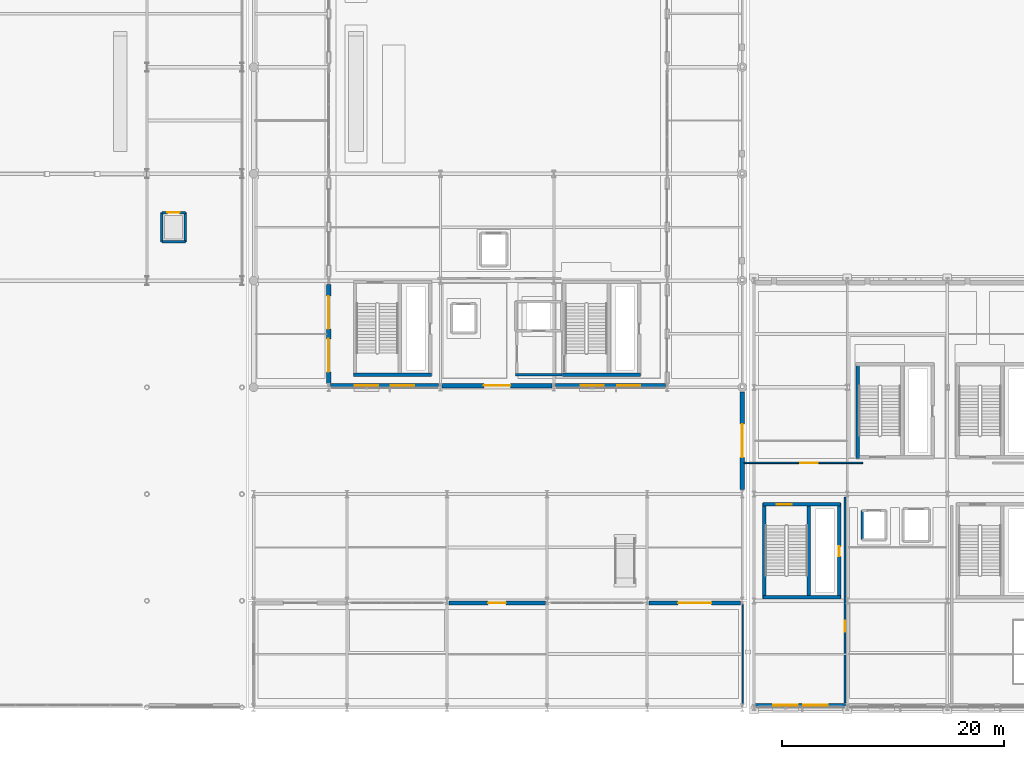
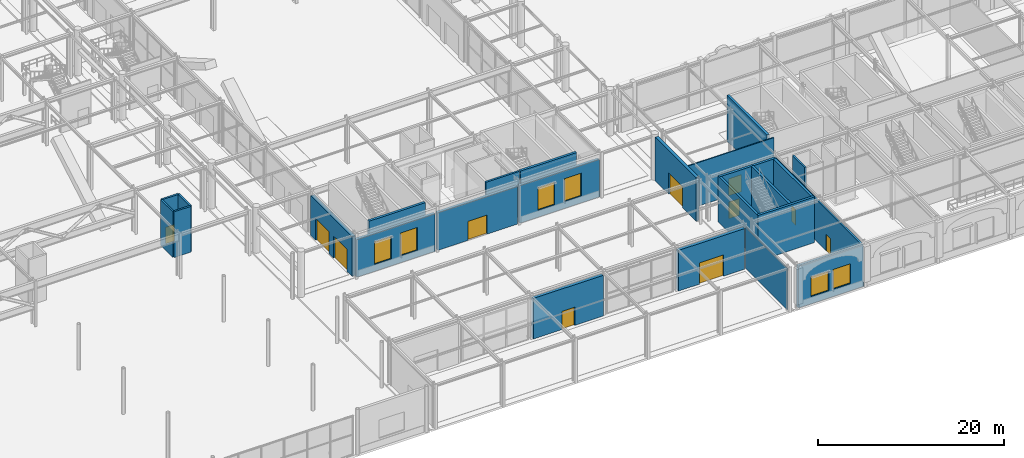
# One storey, part 59 of 113: 25 walls, 11 doors, 6 windows, 17 openings.
"""IFC4 building model written with IfcOpenShell, lengths in metres."""

from ifc_helpers import new_model, si_unit, direction, frame, frame_2d, origin, place, context, subcontext, project, spatial, rectangle, extrude, material, layer, layer_set, type_object, element, fill, save


model = new_model("IFC4")

# Units and contexts
model_context = context("Model", 3, precision=1e-05, world=origin(), true_north=direction((0.0, 1.0)))
body_context = subcontext(model_context, "Body", "Model", "MODEL_VIEW")
ifc_project = project(units=[si_unit("LENGTHUNIT", "METRE"), si_unit("AREAUNIT", "SQUARE_METRE"), si_unit("VOLUMEUNIT", "CUBIC_METRE"), si_unit("PLANEANGLEUNIT", "RADIAN"), si_unit("MASSUNIT", "GRAM", prefix="KILO")], contexts=[model_context])

# Site, building, storey
site_placement = place(None, origin())
site = spatial("IfcSite", under=ifc_project, at=site_placement, CompositionType="ELEMENT")
building_placement = place(site_placement, origin())
building = spatial("IfcBuilding", under=site, at=building_placement, Name="Myrtia Square Station", CompositionType="ELEMENT")
storey_placement = place(building_placement, origin())
storey = spatial("IfcBuildingStorey", under=building, at=storey_placement, Name="L00", CompositionType="ELEMENT", Elevation=0.0)

# Walls
ifc_material_1 = material(Name="Concrete C35/45", Category="concrete")
ifc_layer_1 = layer(ifc_material_1, 0.300048828125, Name="Concrete C35/45")
ifc_layer_set_1 = layer_set([ifc_layer_1], Name="Concrete C35/45")
wall_type_1 = type_object("IfcWallType", Name="WL-CORE-300", PredefinedType="SHEAR", material=ifc_layer_set_1)
for number, where, z_axis, x_axis, name in (
    (1, (81.60009765625, 29.925048828125, 0.0), (0.0, 0.0, 1.0), (1.0, 0.0, 0.0), "Core K1 shear wall L00 S"),
    (2, (100.39990234375, 29.925048828125, 0.0), (0.0, 0.0, 1.0), (1.0, 0.0, 0.0), "Core K3 shear wall L00 S"),
    (3, (118.39990234375, 9.925048828125, 0.0), (0.0, 0.0, 1.0), (1.0, 0.0, 0.0), "Core K5 shear wall L00 S"),
):
    element("IfcWall", number, at=place(storey_placement, frame(where, z_axis=z_axis, x_axis=x_axis)), inside=storey, type_object=wall_type_1, Name=name, PredefinedType="SHEAR", context=body_context, shape_type="SweptSolid", body=[
        extrude(rectangle(XDim=7.0, YDim=0.300048828125, at=frame_2d((3.5, 0.0))), origin(), (0.0, 0.0, 1.0), 6.0),
    ])

# Wall, opening, door
wall_1_placement = place(storey_placement, frame((118.39990234375, 18.27490234375, 0.0), z_axis=(0.0, 0.0, 1.0), x_axis=(1.0, 0.0, 0.0)))
wall_1 = element("IfcWall", 4, at=wall_1_placement, inside=storey, type_object=wall_type_1, Name="Core K5 shear wall L00 N", PredefinedType="SHEAR", context=body_context, shape_type="SweptSolid", body=[
    extrude(rectangle(XDim=7.0, YDim=0.300048828125, at=frame_2d((3.5, 0.0))), origin(), (0.0, 0.0, 1.0), 6.0),
])
opening_1_placement = place(wall_1_placement, frame((1.25, 0.0, 0.0)))
opening_1 = element("IfcOpeningElement", 5, at=opening_1_placement, cuts=wall_1, Name="Opening SD-053", PredefinedType="OPENING", context=body_context, shape_type="SweptSolid", body=[
    extrude(rectangle(XDim=1.35009765625, YDim=2.199951171875, at=frame_2d((0.675048828125, 1.10009765625))), frame((0.0, 0.1650390625, 0.0), z_axis=(0.0, -1.0, 0.0), x_axis=(1.0, 0.0, 0.0)), (0.0, 0.0, 1.0), 0.330078125),
])
ifc_material_2 = material(Name="Dark bronze anodised aluminium", Category="aluminium")
door_type_1 = type_object("IfcDoorType", Name="DR-STAIR-1350x2200", OperationType="NOTDEFINED", PredefinedType="DOOR", material=ifc_material_2)
door_1_placement = place(opening_1_placement, origin())
door_1 = element("IfcDoor", 6, at=door_1_placement, inside=storey, type_object=door_type_1, Name="Protected stair fire door K5 L00", OperationType="SINGLE_SWING_LEFT", OverallHeight=2.199951171875, OverallWidth=1.35009765625, PredefinedType="DOOR", context=body_context, shape_type="SweptSolid", body=[
    extrude(rectangle(XDim=1.35009765625, YDim=2.199951171875, at=frame_2d((0.675048828125, 1.10009765625))), frame((0.0, 0.02490234375, 0.0), z_axis=(0.0, -1.0, 0.0), x_axis=(1.0, 0.0, 0.0)), (0.0, 0.0, 1.0), 0.050048828125),
])
fill(opening_1, door_1)

# Wall
wall_2_placement = place(storey_placement, frame((118.52490234375, 9.800048828125, 0.0), z_axis=(0.0, 0.0, 1.0), x_axis=(0.0, 1.0, 0.0)))
element("IfcWall", 7, at=wall_2_placement, inside=storey, type_object=wall_type_1, Name="Core K5 shear wall L00 W", PredefinedType="SHEAR", context=body_context, shape_type="SweptSolid", body=[
    extrude(rectangle(XDim=8.599853515625, YDim=0.300048828125, at=frame_2d((4.2998046875, 0.0))), origin(), (0.0, 0.0, 1.0), 6.0),
])

# Wall, opening, door
wall_3_placement = place(storey_placement, frame((125.27490234375, 9.800048828125, 0.0), z_axis=(0.0, 0.0, 1.0), x_axis=(0.0, 1.0, 0.0)))
wall_3 = element("IfcWall", 8, at=wall_3_placement, inside=storey, type_object=wall_type_1, Name="Core K5 shear wall L00 E", PredefinedType="SHEAR", context=body_context, shape_type="SweptSolid", body=[
    extrude(rectangle(XDim=8.599853515625, YDim=0.300048828125, at=frame_2d((4.2998046875, 0.0))), origin(), (0.0, 0.0, 1.0), 6.0),
])
opening_2_placement = place(wall_3_placement, frame((3.800048828125, 0.0, 0.0)))
opening_2 = element("IfcOpeningElement", 9, at=opening_2_placement, cuts=wall_3, Name="Opening RD-054", PredefinedType="OPENING", context=body_context, shape_type="SweptSolid", body=[
    extrude(rectangle(XDim=0.89990234375, YDim=2.050048828125, at=frame_2d((0.449951171875, 1.02490234375))), frame((0.0, 0.1650390625, 0.0), z_axis=(0.0, -1.0, 0.0), x_axis=(1.0, 0.0, 0.0)), (0.0, 0.0, 1.0), 0.330078125),
])
door_type_2 = type_object("IfcDoorType", Name="DR-RISER-900x2050", OperationType="NOTDEFINED", PredefinedType="DOOR", material=ifc_material_2)
door_2_placement = place(opening_2_placement, origin())
door_2 = element("IfcDoor", 10, at=door_2_placement, inside=storey, type_object=door_type_2, Name="Riser cupboard access door K5 L00", OperationType="SINGLE_SWING_RIGHT", OverallHeight=2.050048828125, OverallWidth=0.89990234375, PredefinedType="DOOR", context=body_context, shape_type="SweptSolid", body=[
    extrude(rectangle(XDim=0.89990234375, YDim=2.050048828125, at=frame_2d((0.449951171875, 1.02490234375))), frame((0.0, 0.02490234375, 0.0), z_axis=(0.0, -1.0, 0.0), x_axis=(1.0, 0.0, 0.0)), (0.0, 0.0, 1.0), 0.050048828125),
])
fill(opening_2, door_2)

# Walls
wall_4_placement = place(storey_placement, frame((122.5400390625, 10.0, 0.0), z_axis=(0.0, 0.0, 1.0), x_axis=(0.0, 1.0, 0.0)))
element("IfcWall", 11, at=wall_4_placement, inside=storey, type_object=wall_type_1, Name="Core K5 shear wall L00 D", PredefinedType="SHEAR", context=body_context, shape_type="SweptSolid", body=[
    extrude(rectangle(XDim=8.199951171875, YDim=0.300048828125, at=frame_2d((4.10009765625, 0.0))), origin(), (0.0, 0.0, 1.0), 6.0),
])
wall_5_placement = place(storey_placement, frame((126.925048828125, 22.39990234375, 0.0), z_axis=(0.0, 0.0, 1.0), x_axis=(0.0, 1.0, 0.0)))
element("IfcWall", 12, at=wall_5_placement, inside=storey, type_object=wall_type_1, Name="Core K10 shear wall L00 W", PredefinedType="SHEAR", context=body_context, shape_type="SweptSolid", body=[
    extrude(rectangle(XDim=8.60009765625, YDim=0.300048828125, at=frame_2d((4.300048828125, 0.0))), origin(), (0.0, 0.0, 1.0), 6.0),
])

# Wall, opening, door
ifc_material_3 = material(Name="Pentelic marble ashlar", Category="masonry")
ifc_layer_2 = layer(ifc_material_3, 0.3798828125, Name="Pentelic marble ashlar")
ifc_layer_set_2 = layer_set([ifc_layer_2], Name="Pentelic marble ashlar")
wall_type_2 = type_object("IfcWallType", Name="WL-EXT-ASHLAR-380", PredefinedType="SOLIDWALL", material=ifc_layer_set_2)
wall_6_placement = place(storey_placement, frame((89.554931640625, 28.949951171875, 0.0), z_axis=(0.0, 0.0, 1.0), x_axis=(1.0, 0.0, 0.0)))
wall_6 = element("IfcWall", 13, at=wall_6_placement, inside=storey, type_object=wall_type_2, Name="Exterior envelope wall EW-L00-0013", PredefinedType="SOLIDWALL", context=body_context, shape_type="SweptSolid", body=[
    extrude(rectangle(XDim=9.89013671875, YDim=0.3798828125, at=frame_2d((4.945068359375, 0.0))), origin(), (0.0, 0.0, 1.0), 4.919921875),
])
opening_3_placement = place(wall_6_placement, frame((3.7451171875, 0.0, 0.0)))
opening_3 = element("IfcOpeningElement", 14, at=opening_3_placement, cuts=wall_6, Name="Opening ED-021", PredefinedType="OPENING", context=body_context, shape_type="SweptSolid", body=[
    extrude(rectangle(XDim=2.39990234375, YDim=2.5, at=frame_2d((1.199951171875, 1.25))), frame((0.0, 0.204833984375, 0.0), z_axis=(0.0, -1.0, 0.0), x_axis=(1.0, 0.0, 0.0)), (0.0, 0.0, 1.0), 0.409912109375),
])
door_type_3 = type_object("IfcDoorType", Name="DR-EXIT-2400x2500", OperationType="NOTDEFINED", PredefinedType="DOOR", material=ifc_material_2)
door_3_placement = place(opening_3_placement, frame((2.39990234375, 0.0, 0.0), z_axis=(0.0, 0.0, 1.0), x_axis=(-1.0, 0.0, 0.0)))
door_3 = element("IfcDoor", 15, at=door_3_placement, inside=storey, type_object=door_type_3, Name="Pedestrian exit door ED-021", OperationType="DOUBLE_DOOR_SINGLE_SWING", OverallHeight=2.5, OverallWidth=2.39990234375, PredefinedType="DOOR", context=body_context, shape_type="SweptSolid", body=[
    extrude(rectangle(XDim=2.39990234375, YDim=2.5, at=frame_2d((1.199951171875, 1.25))), frame((0.0, 0.02490234375, 0.0), z_axis=(0.0, -1.0, 0.0), x_axis=(1.0, 0.0, 0.0)), (0.0, 0.0, 1.0), 0.050048828125),
])
fill(opening_3, door_3)

wall_7_placement = place(storey_placement, frame((108.155029296875, 9.39990234375, 0.0), z_axis=(0.0, 0.0, 1.0), x_axis=(1.0, 0.0, 0.0)))
wall_7 = element("IfcWall", 16, at=wall_7_placement, inside=storey, type_object=wall_type_2, Name="Exterior envelope wall EW-L00-0071", PredefinedType="SOLIDWALL", context=body_context, shape_type="SweptSolid", body=[
    extrude(rectangle(XDim=8.239990234375, YDim=0.3798828125, at=frame_2d((4.1201171875, 0.0))), origin(), (0.0, 0.0, 1.0), 5.340087890625),
])
opening_4_placement = place(wall_7_placement, frame((2.6201171875, 0.0, 0.0)))
opening_4 = element("IfcOpeningElement", 17, at=opening_4_placement, cuts=wall_7, Name="Opening ED-029", PredefinedType="OPENING", context=body_context, shape_type="SweptSolid", body=[
    extrude(rectangle(XDim=3.0, YDim=2.800048828125, at=frame_2d((1.5, 1.39990234375))), frame((0.0, 0.204833984375, 0.0), z_axis=(0.0, -1.0, 0.0), x_axis=(1.0, 0.0, 0.0)), (0.0, 0.0, 1.0), 0.409912109375),
])
door_type_4 = type_object("IfcDoorType", Name="GT-SRV-3000x2800", OperationType="NOTDEFINED", PredefinedType="GATE", material=ifc_material_2)
door_4_placement = place(opening_4_placement, origin())
door_4 = element("IfcDoor", 18, at=door_4_placement, inside=storey, type_object=door_type_4, Name="Patio east service gate ED-029", OperationType="ROLLINGUP", OverallHeight=2.800048828125, OverallWidth=3.0, PredefinedType="GATE", context=body_context, shape_type="SweptSolid", body=[
    extrude(rectangle(XDim=3.0, YDim=2.800048828125, at=frame_2d((1.5, 1.39990234375))), frame((0.0, 0.02490234375, 0.0), z_axis=(0.0, -1.0, 0.0), x_axis=(1.0, 0.0, 0.0)), (0.0, 0.0, 1.0), 0.050048828125),
])
fill(opening_4, door_4)

wall_8_placement = place(storey_placement, frame((116.550048828125, 19.60009765625, 0.0), z_axis=(0.0, 0.0, 1.0), x_axis=(0.0, 1.0, 0.0)))
wall_8 = element("IfcWall", 19, at=wall_8_placement, inside=storey, type_object=wall_type_2, Name="Exterior envelope wall EW-L00-0072", PredefinedType="SOLIDWALL", context=body_context, shape_type="SweptSolid", body=[
    extrude(rectangle(XDim=8.7998046875, YDim=0.3798828125, at=frame_2d((4.39990234375, 0.0))), origin(), (0.0, 0.0, 1.0), 5.719970703125),
])
opening_5_placement = place(wall_8_placement, frame((2.89990234375, 0.0, 0.0)))
opening_5 = element("IfcOpeningElement", 20, at=opening_5_placement, cuts=wall_8, Name="Opening ED-030", PredefinedType="OPENING", context=body_context, shape_type="SweptSolid", body=[
    extrude(rectangle(XDim=3.0, YDim=2.800048828125, at=frame_2d((1.5, 1.39990234375))), frame((0.0, 0.204833984375, 0.0), z_axis=(0.0, -1.0, 0.0), x_axis=(1.0, 0.0, 0.0)), (0.0, 0.0, 1.0), 0.409912109375),
])
door_5_placement = place(opening_5_placement, origin())
door_5 = element("IfcDoor", 21, at=door_5_placement, inside=storey, type_object=door_type_4, Name="Patio service gate ED-030", OperationType="ROLLINGUP", OverallHeight=2.800048828125, OverallWidth=3.0, PredefinedType="GATE", context=body_context, shape_type="SweptSolid", body=[
    extrude(rectangle(XDim=3.0, YDim=2.800048828125, at=frame_2d((1.5, 1.39990234375))), frame((0.0, 0.02490234375, 0.0), z_axis=(0.0, -1.0, 0.0), x_axis=(1.0, 0.0, 0.0)), (0.0, 0.0, 1.0), 0.050048828125),
])
fill(opening_5, door_5)

# Wall, openings, doors
ifc_layer_3 = layer(ifc_material_3, 0.419921875, Name="Pentelic marble ashlar")
ifc_layer_set_3 = layer_set([ifc_layer_3], Name="Pentelic marble ashlar")
wall_type_3 = type_object("IfcWallType", Name="WL-EXT-ASHLAR-420", PredefinedType="SOLIDWALL", material=ifc_layer_set_3)
wall_9_placement = place(storey_placement, frame((79.35009765625, 29.155029296875, 0.0), z_axis=(0.0, 0.0, 1.0), x_axis=(0.0, 1.0, 0.0)))
wall_9 = element("IfcWall", 22, at=wall_9_placement, inside=storey, type_object=wall_type_3, Name="Exterior envelope wall EW-L00-0001", PredefinedType="SOLIDWALL", context=body_context, shape_type="SweptSolid", body=[
    extrude(rectangle(XDim=8.889892578125, YDim=0.419921875, at=frame_2d((4.44482421875, 0.0))), origin(), (0.0, 0.0, 1.0), 5.219970703125),
])
opening_6_placement = place(wall_9_placement, frame((1.044921875, 0.0, 0.0)))
opening_6 = element("IfcOpeningElement", 23, at=opening_6_placement, cuts=wall_9, Name="Opening ED-001", PredefinedType="OPENING", context=body_context, shape_type="SweptSolid", body=[
    extrude(rectangle(XDim=2.949951171875, YDim=2.89990234375, at=frame_2d((1.47509765625, 1.449951171875))), frame((0.0, 0.224853515625, 0.0), z_axis=(0.0, -1.0, 0.0), x_axis=(1.0, 0.0, 0.0)), (0.0, 0.0, 1.0), 0.449951171875),
])
opening_7_placement = place(wall_9_placement, frame((4.89501953125, 0.0, 0.0)))
opening_7 = element("IfcOpeningElement", 24, at=opening_7_placement, cuts=wall_9, Name="Opening ED-002", PredefinedType="OPENING", context=body_context, shape_type="SweptSolid", body=[
    extrude(rectangle(XDim=2.949951171875, YDim=2.89990234375, at=frame_2d((1.47509765625, 1.449951171875))), frame((0.0, 0.224853515625, 0.0), z_axis=(0.0, -1.0, 0.0), x_axis=(1.0, 0.0, 0.0)), (0.0, 0.0, 1.0), 0.449951171875),
])
door_type_5 = type_object("IfcDoorType", Name="DR-MAIN-2950x2900", OperationType="NOTDEFINED", PredefinedType="DOOR", material=ifc_material_2)
door_6_placement = place(opening_6_placement, origin())
door_6 = element("IfcDoor", 25, at=door_6_placement, inside=storey, type_object=door_type_5, Name="Pedestrian exit door ED-001", OperationType="DOUBLE_DOOR_SINGLE_SWING", OverallHeight=2.89990234375, OverallWidth=2.949951171875, PredefinedType="DOOR", context=body_context, shape_type="SweptSolid", body=[
    extrude(rectangle(XDim=2.949951171875, YDim=2.89990234375, at=frame_2d((1.47509765625, 1.449951171875))), frame((0.0, 0.02490234375, 0.0), z_axis=(0.0, -1.0, 0.0), x_axis=(1.0, 0.0, 0.0)), (0.0, 0.0, 1.0), 0.050048828125),
])
fill(opening_6, door_6)
door_7_placement = place(opening_7_placement, origin())
door_7 = element("IfcDoor", 26, at=door_7_placement, inside=storey, type_object=door_type_5, Name="Pedestrian exit door ED-002", OperationType="DOUBLE_DOOR_SINGLE_SWING", OverallHeight=2.89990234375, OverallWidth=2.949951171875, PredefinedType="DOOR", context=body_context, shape_type="SweptSolid", body=[
    extrude(rectangle(XDim=2.949951171875, YDim=2.89990234375, at=frame_2d((1.47509765625, 1.449951171875))), frame((0.0, 0.02490234375, 0.0), z_axis=(0.0, -1.0, 0.0), x_axis=(1.0, 0.0, 0.0)), (0.0, 0.0, 1.0), 0.050048828125),
])
fill(opening_7, door_7)

# Wall, openings, windows
ifc_material_4 = material(Name="Cream lime stucco on clay brick masonry", Category="masonry")
ifc_layer_4 = layer(ifc_material_4, 0.360107421875, Name="Cream lime stucco on clay brick masonry")
ifc_layer_set_4 = layer_set([ifc_layer_4], Name="Cream lime stucco on clay brick masonry")
wall_type_4 = type_object("IfcWallType", Name="WL-EXT-STUCCO-360", PredefinedType="SOLIDWALL", material=ifc_layer_set_4)
wall_10_placement = place(storey_placement, frame((79.5048828125, 28.949951171875, 0.0), z_axis=(0.0, 0.0, 1.0), x_axis=(1.0, 0.0, 0.0)))
wall_10 = element("IfcWall", 27, at=wall_10_placement, inside=storey, type_object=wall_type_4, Name="Exterior envelope wall EW-L00-0011", PredefinedType="SOLIDWALL", context=body_context, shape_type="SweptSolid", body=[
    extrude(rectangle(XDim=9.740234375, YDim=0.360107421875, at=frame_2d((4.8701171875, 0.0))), origin(), (0.0, 0.0, 1.0), 4.919921875),
])
opening_8_placement = place(wall_10_placement, frame((2.197021484375, 0.0, 0.89990234375)))
opening_8 = element("IfcOpeningElement", 28, at=opening_8_placement, cuts=wall_10, Name="Opening WN-001", PredefinedType="OPENING", context=body_context, shape_type="SweptSolid", body=[
    extrude(rectangle(XDim=2.10009765625, YDim=3.0, at=frame_2d((1.050048828125, 1.5))), frame((0.0, 0.195068359375, 0.0), z_axis=(0.0, -1.0, 0.0), x_axis=(1.0, 0.0, 0.0)), (0.0, 0.0, 1.0), 0.39013671875),
])
opening_9_placement = place(wall_10_placement, frame((5.443115234375, 0.0, 0.89990234375)))
opening_9 = element("IfcOpeningElement", 29, at=opening_9_placement, cuts=wall_10, Name="Opening WN-002", PredefinedType="OPENING", context=body_context, shape_type="SweptSolid", body=[
    extrude(rectangle(XDim=2.10009765625, YDim=3.0, at=frame_2d((1.050048828125, 1.5))), frame((0.0, 0.195068359375, 0.0), z_axis=(0.0, -1.0, 0.0), x_axis=(1.0, 0.0, 0.0)), (0.0, 0.0, 1.0), 0.39013671875),
])
ifc_material_5 = material(Name="Tinted low-E solar control glass", Category="glass")
window_type_1 = type_object("IfcWindowType", Name="WN-ARCH-2100x3000", PartitioningType="SINGLE_PANEL", PredefinedType="WINDOW", material=ifc_material_5)
window_1_placement = place(opening_8_placement, origin())
window_1 = element("IfcWindow", 30, at=window_1_placement, inside=storey, type_object=window_type_1, Name="Window WN-001", OverallHeight=3.0, OverallWidth=2.10009765625, PartitioningType="SINGLE_PANEL", PredefinedType="WINDOW", context=body_context, shape_type="SweptSolid", body=[
    extrude(rectangle(XDim=2.10009765625, YDim=3.0, at=frame_2d((1.050048828125, 1.5))), frame((0.0, 0.030029296875, 0.0), z_axis=(0.0, -1.0, 0.0), x_axis=(1.0, 0.0, 0.0)), (0.0, 0.0, 1.0), 0.06005859375),
])
fill(opening_8, window_1)
window_2_placement = place(opening_9_placement, origin())
window_2 = element("IfcWindow", 31, at=window_2_placement, inside=storey, type_object=window_type_1, Name="Window WN-002", OverallHeight=3.0, OverallWidth=2.10009765625, PartitioningType="SINGLE_PANEL", PredefinedType="WINDOW", context=body_context, shape_type="SweptSolid", body=[
    extrude(rectangle(XDim=2.10009765625, YDim=3.0, at=frame_2d((1.050048828125, 1.5))), frame((0.0, 0.030029296875, 0.0), z_axis=(0.0, -1.0, 0.0), x_axis=(1.0, 0.0, 0.0)), (0.0, 0.0, 1.0), 0.06005859375),
])
fill(opening_9, window_2)

wall_11_placement = place(storey_placement, frame((99.7548828125, 28.949951171875, 0.0), z_axis=(0.0, 0.0, 1.0), x_axis=(1.0, 0.0, 0.0)))
wall_11 = element("IfcWall", 32, at=wall_11_placement, inside=storey, type_object=wall_type_4, Name="Exterior envelope wall EW-L00-0017", PredefinedType="SOLIDWALL", context=body_context, shape_type="SweptSolid", body=[
    extrude(rectangle(XDim=9.89013671875, YDim=0.360107421875, at=frame_2d((4.945068359375, 0.0))), origin(), (0.0, 0.0, 1.0), 4.919921875),
])
opening_10_placement = place(wall_11_placement, frame((2.2470703125, 0.0, 0.89990234375)))
opening_10 = element("IfcOpeningElement", 33, at=opening_10_placement, cuts=wall_11, Name="Opening WN-009", PredefinedType="OPENING", context=body_context, shape_type="SweptSolid", body=[
    extrude(rectangle(XDim=2.10009765625, YDim=3.0, at=frame_2d((1.050048828125, 1.5))), frame((0.0, 0.195068359375, 0.0), z_axis=(0.0, -1.0, 0.0), x_axis=(1.0, 0.0, 0.0)), (0.0, 0.0, 1.0), 0.39013671875),
])
opening_11_placement = place(wall_11_placement, frame((5.54296875, 0.0, 0.89990234375)))
opening_11 = element("IfcOpeningElement", 34, at=opening_11_placement, cuts=wall_11, Name="Opening WN-010", PredefinedType="OPENING", context=body_context, shape_type="SweptSolid", body=[
    extrude(rectangle(XDim=2.10009765625, YDim=3.0, at=frame_2d((1.050048828125, 1.5))), frame((0.0, 0.195068359375, 0.0), z_axis=(0.0, -1.0, 0.0), x_axis=(1.0, 0.0, 0.0)), (0.0, 0.0, 1.0), 0.39013671875),
])
window_3_placement = place(opening_10_placement, origin())
window_3 = element("IfcWindow", 35, at=window_3_placement, inside=storey, type_object=window_type_1, Name="Window WN-009", OverallHeight=3.0, OverallWidth=2.10009765625, PartitioningType="SINGLE_PANEL", PredefinedType="WINDOW", context=body_context, shape_type="SweptSolid", body=[
    extrude(rectangle(XDim=2.10009765625, YDim=3.0, at=frame_2d((1.050048828125, 1.5))), frame((0.0, 0.030029296875, 0.0), z_axis=(0.0, -1.0, 0.0), x_axis=(1.0, 0.0, 0.0)), (0.0, 0.0, 1.0), 0.06005859375),
])
fill(opening_10, window_3)
window_4_placement = place(opening_11_placement, origin())
window_4 = element("IfcWindow", 36, at=window_4_placement, inside=storey, type_object=window_type_1, Name="Window WN-010", OverallHeight=3.0, OverallWidth=2.10009765625, PartitioningType="SINGLE_PANEL", PredefinedType="WINDOW", context=body_context, shape_type="SweptSolid", body=[
    extrude(rectangle(XDim=2.10009765625, YDim=3.0, at=frame_2d((1.050048828125, 1.5))), frame((0.0, 0.030029296875, 0.0), z_axis=(0.0, -1.0, 0.0), x_axis=(1.0, 0.0, 0.0)), (0.0, 0.0, 1.0), 0.06005859375),
])
fill(opening_11, window_4)

# Wall, opening, door
wall_12_placement = place(storey_placement, frame((90.155029296875, 9.39990234375, 0.0), z_axis=(0.0, 0.0, 1.0), x_axis=(1.0, 0.0, 0.0)))
wall_12 = element("IfcWall", 37, at=wall_12_placement, inside=storey, type_object=wall_type_4, Name="Exterior envelope wall EW-L00-0039", PredefinedType="SOLIDWALL", context=body_context, shape_type="SweptSolid", body=[
    extrude(rectangle(XDim=8.68994140625, YDim=0.360107421875, at=frame_2d((4.344970703125, 0.0))), origin(), (0.0, 0.0, 1.0), 5.340087890625),
])
opening_12_placement = place(wall_12_placement, frame((3.544921875, 0.0, 0.0)))
opening_12 = element("IfcOpeningElement", 38, at=opening_12_placement, cuts=wall_12, Name="Opening ED-023", PredefinedType="OPENING", context=body_context, shape_type="SweptSolid", body=[
    extrude(rectangle(XDim=1.60009765625, YDim=2.39990234375, at=frame_2d((0.800048828125, 1.199951171875))), frame((0.0, 0.195068359375, 0.0), z_axis=(0.0, -1.0, 0.0), x_axis=(1.0, 0.0, 0.0)), (0.0, 0.0, 1.0), 0.39013671875),
])
door_type_6 = type_object("IfcDoorType", Name="DR-SHOP-1600x2400", OperationType="NOTDEFINED", PredefinedType="DOOR", material=ifc_material_2)
door_8_placement = place(opening_12_placement, origin())
door_8 = element("IfcDoor", 39, at=door_8_placement, inside=storey, type_object=door_type_6, Name="Citrus patio cafe door ED-023", OperationType="DOUBLE_DOOR_SINGLE_SWING", OverallHeight=2.39990234375, OverallWidth=1.60009765625, PredefinedType="DOOR", context=body_context, shape_type="SweptSolid", body=[
    extrude(rectangle(XDim=1.60009765625, YDim=2.39990234375, at=frame_2d((0.800048828125, 1.199951171875))), frame((0.0, 0.02490234375, 0.0), z_axis=(0.0, -1.0, 0.0), x_axis=(1.0, 0.0, 0.0)), (0.0, 0.0, 1.0), 0.050048828125),
])
fill(opening_12, door_8)

# Wall, openings, windows
wall_13_placement = place(storey_placement, frame((117.7548828125, 0.199951171875, 0.0), z_axis=(0.0, 0.0, 1.0), x_axis=(1.0, 0.0, 0.0)))
wall_13 = element("IfcWall", 40, at=wall_13_placement, inside=storey, type_object=wall_type_4, Name="Exterior envelope wall EW-L00-0040", PredefinedType="SOLIDWALL", context=body_context, shape_type="SweptSolid", body=[
    extrude(rectangle(XDim=8.090087890625, YDim=0.360107421875, at=frame_2d((4.044921875, 0.0))), origin(), (0.0, 0.0, 1.0), 5.489990234375),
])
opening_13_placement = place(wall_13_placement, frame((1.596923828125, 0.0, 0.949951171875)))
opening_13 = element("IfcOpeningElement", 41, at=opening_13_placement, cuts=wall_13, Name="Opening WN-021", PredefinedType="OPENING", context=body_context, shape_type="SweptSolid", body=[
    extrude(rectangle(XDim=2.199951171875, YDim=2.60009765625, at=frame_2d((1.10009765625, 1.300048828125))), frame((0.0, 0.195068359375, 0.0), z_axis=(0.0, -1.0, 0.0), x_axis=(1.0, 0.0, 0.0)), (0.0, 0.0, 1.0), 0.39013671875),
])
opening_14_placement = place(wall_13_placement, frame((4.29296875, 0.0, 0.949951171875)))
opening_14 = element("IfcOpeningElement", 42, at=opening_14_placement, cuts=wall_13, Name="Opening WN-022", PredefinedType="OPENING", context=body_context, shape_type="SweptSolid", body=[
    extrude(rectangle(XDim=2.199951171875, YDim=2.60009765625, at=frame_2d((1.10009765625, 1.300048828125))), frame((0.0, 0.195068359375, 0.0), z_axis=(0.0, -1.0, 0.0), x_axis=(1.0, 0.0, 0.0)), (0.0, 0.0, 1.0), 0.39013671875),
])
window_type_2 = type_object("IfcWindowType", Name="WN-RET-2200x2600", PartitioningType="SINGLE_PANEL", PredefinedType="WINDOW", material=ifc_material_5)
window_5_placement = place(opening_13_placement, origin())
window_5 = element("IfcWindow", 43, at=window_5_placement, inside=storey, type_object=window_type_2, Name="Window WN-021", OverallHeight=2.60009765625, OverallWidth=2.199951171875, PartitioningType="SINGLE_PANEL", PredefinedType="WINDOW", context=body_context, shape_type="SweptSolid", body=[
    extrude(rectangle(XDim=2.199951171875, YDim=2.60009765625, at=frame_2d((1.10009765625, 1.300048828125))), frame((0.0, 0.030029296875, 0.0), z_axis=(0.0, -1.0, 0.0), x_axis=(1.0, 0.0, 0.0)), (0.0, 0.0, 1.0), 0.06005859375),
])
fill(opening_13, window_5)
window_6_placement = place(opening_14_placement, origin())
window_6 = element("IfcWindow", 44, at=window_6_placement, inside=storey, type_object=window_type_2, Name="Window WN-022", OverallHeight=2.60009765625, OverallWidth=2.199951171875, PartitioningType="SINGLE_PANEL", PredefinedType="WINDOW", context=body_context, shape_type="SweptSolid", body=[
    extrude(rectangle(XDim=2.199951171875, YDim=2.60009765625, at=frame_2d((1.10009765625, 1.300048828125))), frame((0.0, 0.030029296875, 0.0), z_axis=(0.0, -1.0, 0.0), x_axis=(1.0, 0.0, 0.0)), (0.0, 0.0, 1.0), 0.06005859375),
])
fill(opening_14, window_6)

# Walls
ifc_layer_5 = layer(ifc_material_1, 0.239990234375, Name="Concrete C35/45")
ifc_layer_set_5 = layer_set([ifc_layer_5], Name="Concrete C35/45")
wall_type_5 = type_object("IfcWallType", Name="WL-FFL-240", PredefinedType="SHEAR", material=ifc_layer_set_5)
wall_14_placement = place(storey_placement, frame((96.14990234375, 29.919921875, 0.0), z_axis=(0.0, 0.0, 1.0), x_axis=(1.0, 0.0, 0.0)))
element("IfcWall", 45, at=wall_14_placement, inside=storey, type_object=wall_type_5, Name="Firefighting lift lobby EI 120 wall K3 L00 S", PredefinedType="SHEAR", context=body_context, shape_type="SweptSolid", body=[
    extrude(rectangle(XDim=4.2001953125, YDim=0.239990234375, at=frame_2d((2.10009765625, 0.0))), origin(), (0.0, 0.0, 1.0), 6.0),
])
ifc_layer_6 = layer(ifc_material_1, 0.219970703125, Name="Concrete C35/45")
ifc_layer_set_6 = layer_set([ifc_layer_6], Name="Concrete C35/45")
wall_type_6 = type_object("IfcWallType", Name="WL-LIFT-220", PredefinedType="SHEAR", material=ifc_layer_set_6)
wall_15_placement = place(storey_placement, frame((64.340087890625, 41.889892578125, 0.0), z_axis=(0.0, 0.0, 1.0), x_axis=(1.0, 0.0, 0.0)))
element("IfcWall", 46, at=wall_15_placement, inside=storey, type_object=wall_type_6, Name="Lift shaft wall PL-04 L00 -Y", PredefinedType="SHEAR", context=body_context, shape_type="SweptSolid", body=[
    extrude(rectangle(XDim=2.119873046875, YDim=0.219970703125, at=frame_2d((1.06005859375, 0.0))), origin(), (0.0, 0.0, 1.0), 6.0),
])

# Wall, opening, door
wall_16_placement = place(storey_placement, frame((64.340087890625, 44.510009765625, 0.0), z_axis=(0.0, 0.0, 1.0), x_axis=(1.0, 0.0, 0.0)))
wall_16 = element("IfcWall", 47, at=wall_16_placement, inside=storey, type_object=wall_type_6, Name="Lift shaft wall PL-04 L00 +Y", PredefinedType="SHEAR", context=body_context, shape_type="SweptSolid", body=[
    extrude(rectangle(XDim=2.119873046875, YDim=0.219970703125, at=frame_2d((1.06005859375, 0.0))), origin(), (0.0, 0.0, 1.0), 6.0),
])
opening_15_placement = place(wall_16_placement, frame((0.510009765625, 0.0, 0.0)))
opening_15 = element("IfcOpeningElement", 48, at=opening_15_placement, cuts=wall_16, Name="Opening LD-PL-04", PredefinedType="OPENING", context=body_context, shape_type="SweptSolid", body=[
    extrude(rectangle(XDim=1.10009765625, YDim=2.14990234375, at=frame_2d((0.550048828125, 1.074951171875))), frame((0.0, 0.125, 0.0), z_axis=(0.0, -1.0, 0.0), x_axis=(1.0, 0.0, 0.0)), (0.0, 0.0, 1.0), 0.25),
])
door_type_7 = type_object("IfcDoorType", Name="DR-LIFT-1100x2150", OperationType="NOTDEFINED", PredefinedType="DOOR", material=ifc_material_2)
door_9_placement = place(opening_15_placement, origin())
door_9 = element("IfcDoor", 49, at=door_9_placement, inside=storey, type_object=door_type_7, Name="Lift landing door PL-04 L00", OperationType="SLIDING_TO_LEFT", OverallHeight=2.14990234375, OverallWidth=1.10009765625, PredefinedType="DOOR", context=body_context, shape_type="SweptSolid", body=[
    extrude(rectangle(XDim=1.10009765625, YDim=2.14990234375, at=frame_2d((0.550048828125, 1.074951171875))), frame((0.0, 0.02490234375, 0.0), z_axis=(0.0, -1.0, 0.0), x_axis=(1.0, 0.0, 0.0)), (0.0, 0.0, 1.0), 0.050048828125),
])
fill(opening_15, door_9)

# Walls
for number, where, z_axis, x_axis, name in (
    (50, (64.340087890625, 41.889892578125, 0.0), (0.0, 0.0, 1.0), (0.0, 1.0, 0.0), "Lift shaft wall PL-04 L00 -X"),
    (51, (66.4599609375, 41.889892578125, 0.0), (0.0, 0.0, 1.0), (0.0, 1.0, 0.0), "Lift shaft wall PL-04 L00 +X"),
):
    element("IfcWall", number, at=place(storey_placement, frame(where, z_axis=z_axis, x_axis=x_axis)), inside=storey, type_object=wall_type_6, Name=name, PredefinedType="SHEAR", context=body_context, shape_type="SweptSolid", body=[
        extrude(rectangle(XDim=2.6201171875, YDim=0.219970703125, at=frame_2d((1.31005859375, 0.0))), origin(), (0.0, 0.0, 1.0), 6.0),
    ])
wall_17_placement = place(storey_placement, frame((127.340087890625, 15.090087890625, 0.0), z_axis=(0.0, 0.0, 1.0), x_axis=(0.0, 1.0, 0.0)))
element("IfcWall", 52, at=wall_17_placement, inside=storey, type_object=wall_type_6, Name="Lift shaft wall PL-07 L00 -X", PredefinedType="SHEAR", context=body_context, shape_type="SweptSolid", body=[
    extrude(rectangle(XDim=2.619873046875, YDim=0.219970703125, at=frame_2d((1.31005859375, 0.0))), origin(), (0.0, 0.0, 1.0), 6.0),
])
ifc_material_6 = material(Name="Gypsum plasterboard")
ifc_layer_7 = layer(ifc_material_6, 0.10009765625, Name="Gypsum plasterboard")
ifc_layer_set_7 = layer_set([ifc_layer_7], Name="Gypsum plasterboard")
wall_type_7 = type_object("IfcWallType", Name="WL-PART-100", PredefinedType="PARTITIONING", material=ifc_layer_set_7)
wall_18_placement = place(storey_placement, frame((116.60009765625, 0.324951171875, 0.0), z_axis=(0.0, 0.0, 1.0), x_axis=(0.0, 1.0, 0.0)))
element("IfcWall", 53, at=wall_18_placement, inside=storey, type_object=wall_type_7, Name="Room divider partition L00-08", PredefinedType="PARTITIONING", context=body_context, shape_type="SweptSolid", body=[
    extrude(rectangle(XDim=8.949951171875, YDim=0.10009765625, at=frame_2d((4.47509765625, 0.0))), origin(), (0.0, 0.0, 1.0), 5.409912109375),
])

# Wall, opening, door
ifc_layer_8 = layer(ifc_material_6, 0.125, Name="Gypsum plasterboard")
ifc_layer_set_8 = layer_set([ifc_layer_8], Name="Gypsum plasterboard")
wall_type_8 = type_object("IfcWallType", Name="WL-PART-125", PredefinedType="PARTITIONING", material=ifc_layer_set_8)
wall_19_placement = place(storey_placement, frame((116.7451171875, 22.0, 0.0), z_axis=(0.0, 0.0, 1.0), x_axis=(1.0, 0.0, 0.0)))
wall_19 = element("IfcWall", 54, at=wall_19_placement, inside=storey, type_object=wall_type_8, Name="Interior partition wall L00-09", PredefinedType="PARTITIONING", context=body_context, shape_type="SweptSolid", body=[
    extrude(rectangle(XDim=10.6298828125, YDim=0.125, at=frame_2d((5.31494140625, 0.0))), origin(), (0.0, 0.0, 1.0), 5.719970703125),
])
opening_16_placement = place(wall_19_placement, frame((5.01806640625, 0.0, 0.0)))
opening_16 = element("IfcOpeningElement", 55, at=opening_16_placement, cuts=wall_19, Name="Opening D-220", PredefinedType="OPENING", context=body_context, shape_type="SweptSolid", body=[
    extrude(rectangle(XDim=1.60009765625, YDim=2.25, at=frame_2d((0.800048828125, 1.125))), frame((0.0, 0.077392578125, 0.0), z_axis=(0.0, -1.0, 0.0), x_axis=(1.0, 0.0, 0.0)), (0.0, 0.0, 1.0), 0.155029296875),
])
door_type_8 = type_object("IfcDoorType", Name="DR-CORR-1600x2250", OperationType="NOTDEFINED", PredefinedType="DOOR", material=ifc_material_2)
door_10_placement = place(opening_16_placement, frame((1.60009765625, 0.0, 0.0), z_axis=(0.0, 0.0, 1.0), x_axis=(-1.0, 0.0, 0.0)))
door_10 = element("IfcDoor", 56, at=door_10_placement, inside=storey, type_object=door_type_8, Name="Flagship Travel Retail Shop door D-220", OperationType="DOUBLE_DOOR_SINGLE_SWING", OverallHeight=2.25, OverallWidth=1.60009765625, PredefinedType="DOOR", context=body_context, shape_type="SweptSolid", body=[
    extrude(rectangle(XDim=1.60009765625, YDim=2.25, at=frame_2d((0.800048828125, 1.125))), frame((0.0, 0.02490234375, 0.0), z_axis=(0.0, -1.0, 0.0), x_axis=(1.0, 0.0, 0.0)), (0.0, 0.0, 1.0), 0.050048828125),
])
fill(opening_16, door_10)

ifc_layer_9 = layer(ifc_material_4, 0.199951171875, Name="Cream lime stucco on clay brick masonry")
ifc_layer_set_9 = layer_set([ifc_layer_9], Name="Cream lime stucco on clay brick masonry")
wall_type_9 = type_object("IfcWallType", Name="WL-PART-200", PredefinedType="PARTITIONING", material=ifc_layer_set_9)
wall_20_placement = place(storey_placement, frame((125.800048828125, 0.385009765625, 0.0), z_axis=(0.0, 0.0, 1.0), x_axis=(0.0, 1.0, 0.0)))
wall_20 = element("IfcWall", 57, at=wall_20_placement, inside=storey, type_object=wall_type_9, Name="Interior partition wall L00-12", PredefinedType="PARTITIONING", context=body_context, shape_type="SweptSolid", body=[
    extrude(rectangle(XDim=18.56005859375, YDim=0.199951171875, at=frame_2d((9.280029296875, 0.0))), origin(), (0.0, 0.0, 1.0), 5.4599609375),
])
opening_17_placement = place(wall_20_placement, frame((6.4150390625, 0.0, 0.0)))
opening_17 = element("IfcOpeningElement", 58, at=opening_17_placement, cuts=wall_20, Name="Opening D-223", PredefinedType="OPENING", context=body_context, shape_type="SweptSolid", body=[
    extrude(rectangle(XDim=1.0, YDim=2.14990234375, at=frame_2d((0.5, 1.074951171875))), frame((0.0, 0.114990234375, 0.0), z_axis=(0.0, -1.0, 0.0), x_axis=(1.0, 0.0, 0.0)), (0.0, 0.0, 1.0), 0.22998046875),
])
ifc_material_7 = material(Name="Acoustic European oak timber", Category="wood")
door_type_9 = type_object("IfcDoorType", Name="DR-ROOM-1000x2150", OperationType="NOTDEFINED", PredefinedType="DOOR", material=ifc_material_7)
door_11_placement = place(opening_17_placement, origin())
door_11 = element("IfcDoor", 59, at=door_11_placement, inside=storey, type_object=door_type_9, Name="Left Luggage and Baggage Deposit Office door D-223", OperationType="SINGLE_SWING_LEFT", OverallHeight=2.14990234375, OverallWidth=1.0, PredefinedType="DOOR", context=body_context, shape_type="SweptSolid", body=[
    extrude(rectangle(XDim=1.0, YDim=2.14990234375, at=frame_2d((0.5, 1.074951171875))), frame((0.0, 0.02490234375, 0.0), z_axis=(0.0, -1.0, 0.0), x_axis=(1.0, 0.0, 0.0)), (0.0, 0.0, 1.0), 0.050048828125),
])
fill(opening_17, door_11)

save(model, "model.ifc")
